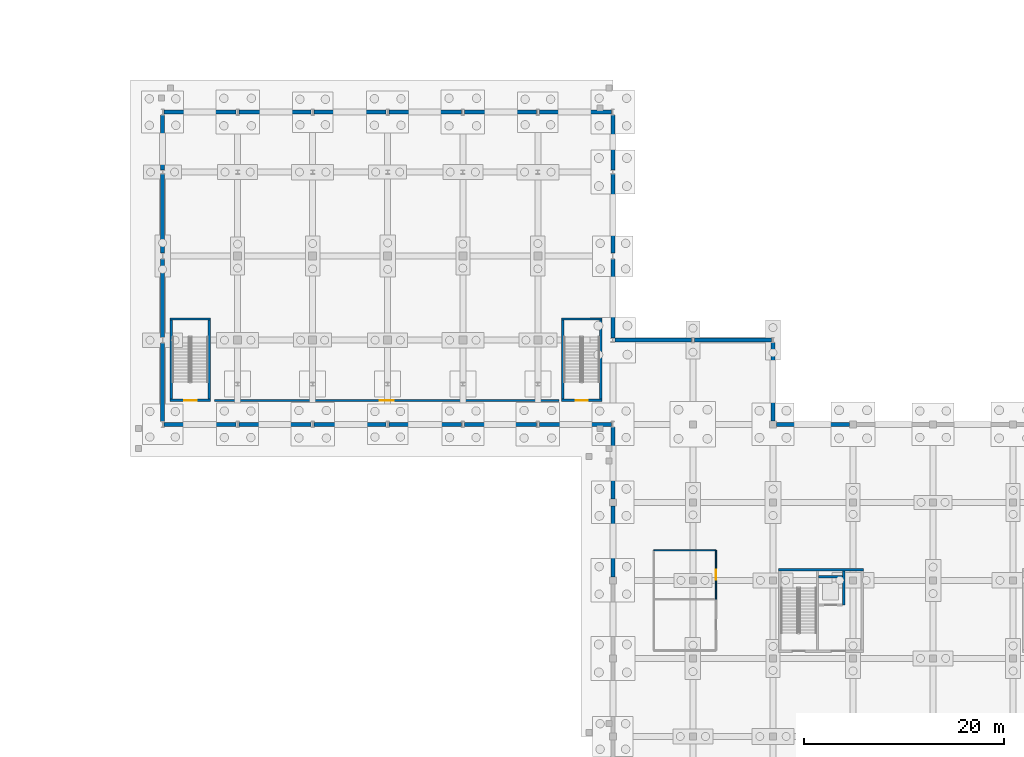
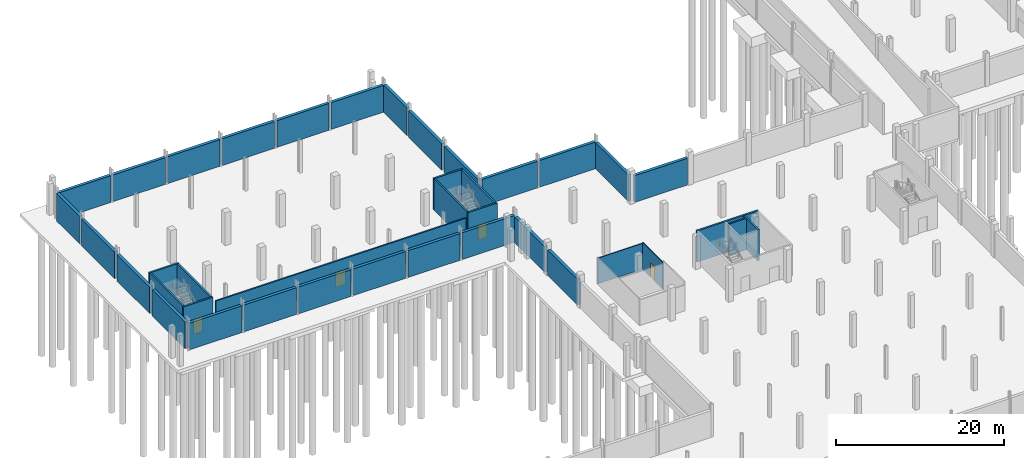
# One storey, part 32 of 44: 39 walls, 4 doors, 4 openings.
"""IFC4 building model written with IfcOpenShell, lengths in metres."""

from ifc_helpers import new_model, si_unit, direction, frame, frame_2d, origin, place, context, subcontext, project, spatial, rectangle, extrude, material, layer, layer_set, type_object, element, fill, save


model = new_model("IFC4")

# Units and contexts
model_context = context("Model", 3, precision=1e-05, world=origin(), true_north=direction((0.0, 1.0)))
body_context = subcontext(model_context, "Body", "Model", "MODEL_VIEW")
ifc_project = project(units=[si_unit("LENGTHUNIT", "METRE"), si_unit("AREAUNIT", "SQUARE_METRE"), si_unit("VOLUMEUNIT", "CUBIC_METRE"), si_unit("PLANEANGLEUNIT", "RADIAN"), si_unit("MASSUNIT", "GRAM", prefix="KILO")], contexts=[model_context])

# Site, building, storey
site_placement = place(None, origin())
site = spatial("IfcSite", under=ifc_project, at=site_placement, CompositionType="ELEMENT")
building_placement = place(site_placement, origin())
building = spatial("IfcBuilding", under=site, at=building_placement, Name="Yukiwa Park Conservatory and Herbarium", CompositionType="ELEMENT")
storey_placement = place(building_placement, frame((0.0, 0.0, -4.800048828125)))
storey = spatial("IfcBuildingStorey", under=building, at=storey_placement, Name="B1", CompositionType="ELEMENT", Elevation=-4.800048828125)

# Walls
ifc_material_1 = material(Name="Concrete C40", Category="concrete")
ifc_layer_1 = layer(ifc_material_1, 0.39990234375)
ifc_layer_set_1 = layer_set([ifc_layer_1], Name="Concrete C40")
wall_type_1 = type_object("IfcWallType", Name="WL-B1-RET400", PredefinedType="SOLIDWALL", material=ifc_layer_set_1)
wall_1_placement = place(storey_placement, frame((83.64990234375, 78.0, 0.0), z_axis=(0.0, 0.0, 1.0), x_axis=(-1.0, 0.0, 0.0)))
element("IfcWall", 1, at=wall_1_placement, inside=storey, type_object=wall_type_1, Name="B1 exterior envelope wall 50", PredefinedType="SOLIDWALL", context=body_context, shape_type="SweptSolid", body=[
    extrude(rectangle(XDim=7.2998046875, YDim=0.39990234375, at=frame_2d((3.64990234375, 0.0))), origin(), (0.0, 0.0, 1.0), 3.89013671875),
])
wall_2_placement = place(storey_placement, frame((76.0, 78.35009765625, 0.0), z_axis=(0.0, 0.0, 1.0), x_axis=(0.0, 1.0, 0.0)))
element("IfcWall", 2, at=wall_2_placement, inside=storey, type_object=wall_type_1, Name="B1 exterior envelope wall 51", PredefinedType="SOLIDWALL", context=body_context, shape_type="SweptSolid", body=[
    extrude(rectangle(XDim=7.805908203125, YDim=0.39990234375, at=frame_2d((3.90283203125, 0.0))), origin(), (0.0, 0.0, 1.0), 3.840087890625),
])
wall_3_placement = place(storey_placement, frame((75.85009765625, 86.39990234375, 0.0), z_axis=(0.0, 0.0, 1.0), x_axis=(-1.0, 0.0, 0.0)))
element("IfcWall", 3, at=wall_3_placement, inside=storey, type_object=wall_type_1, Name="B1 exterior envelope wall 52", PredefinedType="SOLIDWALL", context=body_context, shape_type="SweptSolid", body=[
    extrude(rectangle(XDim=7.7001953125, YDim=0.39990234375, at=frame_2d((3.85009765625, 0.0))), origin(), (0.0, 0.0, 1.0), 3.89013671875),
])
wall_4_placement = place(storey_placement, frame((67.85009765625, 86.39990234375, 0.0), z_axis=(0.0, 0.0, 1.0), x_axis=(-1.0, 0.0, 0.0)))
element("IfcWall", 4, at=wall_4_placement, inside=storey, type_object=wall_type_1, Name="B1 exterior envelope wall 53", PredefinedType="SOLIDWALL", context=body_context, shape_type="SweptSolid", body=[
    extrude(rectangle(XDim=7.650146484375, YDim=0.39990234375, at=frame_2d((3.8251953125, 0.0))), origin(), (0.0, 0.0, 1.0), 3.89013671875),
])
for number, where, z_axis, x_axis, name in (
    (5, (60.0, 86.60009765625, 0.0), (0.0, 0.0, 1.0), (0.0, 1.0, 0.0), "B1 exterior envelope wall 54"),
    (6, (60.0, 95.093994140625, 0.0), (0.0, 0.0, 1.0), (0.0, 1.0, 0.0), "B1 exterior envelope wall 55"),
):
    element("IfcWall", number, at=place(storey_placement, frame(where, z_axis=z_axis, x_axis=x_axis)), inside=storey, type_object=wall_type_1, Name=name, PredefinedType="SOLIDWALL", context=body_context, shape_type="SweptSolid", body=[
        extrude(rectangle(XDim=7.906005859375, YDim=0.39990234375, at=frame_2d((3.953125, 0.0))), origin(), (0.0, 0.0, 1.0), 3.840087890625),
    ])
wall_5_placement = place(storey_placement, frame((60.0, 103.39990234375, 0.0), z_axis=(0.0, 0.0, 1.0), x_axis=(0.0, 1.0, 0.0)))
element("IfcWall", 7, at=wall_5_placement, inside=storey, type_object=wall_type_1, Name="B1 exterior envelope wall 56", PredefinedType="SOLIDWALL", context=body_context, shape_type="SweptSolid", body=[
    extrude(rectangle(XDim=5.506103515625, YDim=0.39990234375, at=frame_2d((2.7529296875, 0.0))), origin(), (0.0, 0.0, 1.0), 4.0400390625),
])
for number, where, z_axis, x_axis, name in (
    (8, (59.85009765625, 109.199951171875, 0.0), (0.0, 0.0, 1.0), (-1.0, 0.0, 0.0), "B1 exterior envelope wall 57"),
    (9, (52.35009765625, 109.199951171875, 0.0), (0.0, 0.0, 1.0), (-1.0, 0.0, 0.0), "B1 exterior envelope wall 58"),
    (10, (44.85009765625, 109.199951171875, 0.0), (0.0, 0.0, 1.0), (-1.0, 0.0, 0.0), "B1 exterior envelope wall 59"),
    (11, (37.35009765625, 109.199951171875, 0.0), (0.0, 0.0, 1.0), (-1.0, 0.0, 0.0), "B1 exterior envelope wall 60"),
    (12, (29.85009765625, 109.199951171875, 0.0), (0.0, 0.0, 1.0), (-1.0, 0.0, 0.0), "B1 exterior envelope wall 61"),
    (13, (22.35009765625, 109.199951171875, 0.0), (0.0, 0.0, 1.0), (-1.0, 0.0, 0.0), "B1 exterior envelope wall 62"),
):
    element("IfcWall", number, at=place(storey_placement, frame(where, z_axis=z_axis, x_axis=x_axis)), inside=storey, type_object=wall_type_1, Name=name, PredefinedType="SOLIDWALL", context=body_context, shape_type="SweptSolid", body=[
        extrude(rectangle(XDim=7.2001953125, YDim=0.39990234375, at=frame_2d((3.60009765625, 0.0))), origin(), (0.0, 0.0, 1.0), 3.89013671875),
    ])
wall_6_placement = place(storey_placement, frame((15.0, 108.906005859375, 0.0), z_axis=(0.0, 0.0, 1.0), x_axis=(0.0, -1.0, 0.0)))
element("IfcWall", 14, at=wall_6_placement, inside=storey, type_object=wall_type_1, Name="B1 exterior envelope wall 63", PredefinedType="SOLIDWALL", context=body_context, shape_type="SweptSolid", body=[
    extrude(rectangle(XDim=5.506103515625, YDim=0.39990234375, at=frame_2d((2.7529296875, 0.0))), origin(), (0.0, 0.0, 1.0), 4.0400390625),
])
wall_7_placement = place(storey_placement, frame((15.0, 103.0, 0.0), z_axis=(0.0, 0.0, 1.0), x_axis=(0.0, -1.0, 0.0)))
element("IfcWall", 15, at=wall_7_placement, inside=storey, type_object=wall_type_1, Name="B1 exterior envelope wall 64", PredefinedType="SOLIDWALL", context=body_context, shape_type="SweptSolid", body=[
    extrude(rectangle(XDim=7.906005859375, YDim=0.39990234375, at=frame_2d((3.953125, 0.0))), origin(), (0.0, 0.0, 1.0), 3.840087890625),
])
wall_8_placement = place(storey_placement, frame((15.0, 94.506103515625, 0.0), z_axis=(0.0, 0.0, 1.0), x_axis=(0.0, -1.0, 0.0)))
element("IfcWall", 16, at=wall_8_placement, inside=storey, type_object=wall_type_1, Name="B1 exterior envelope wall 65", PredefinedType="SOLIDWALL", context=body_context, shape_type="SweptSolid", body=[
    extrude(rectangle(XDim=7.81201171875, YDim=0.39990234375, at=frame_2d((3.906005859375, 0.0))), origin(), (0.0, 0.0, 1.0), 3.840087890625),
])
wall_9_placement = place(storey_placement, frame((15.0, 86.10595703125, 0.0), z_axis=(0.0, 0.0, 1.0), x_axis=(0.0, -1.0, 0.0)))
element("IfcWall", 17, at=wall_9_placement, inside=storey, type_object=wall_type_1, Name="B1 exterior envelope wall 66", PredefinedType="SOLIDWALL", context=body_context, shape_type="SweptSolid", body=[
    extrude(rectangle(XDim=7.81494140625, YDim=0.39990234375, at=frame_2d((3.907470703125, 0.0))), origin(), (0.0, 0.0, 1.0), 3.840087890625),
])
for number, where, z_axis, x_axis, name in (
    (18, (15.14990234375, 78.0, 0.0), (0.0, 0.0, 1.0), (1.0, 0.0, 0.0), "B1 exterior envelope wall 67"),
    (19, (22.64990234375, 78.0, 0.0), (0.0, 0.0, 1.0), (1.0, 0.0, 0.0), "B1 exterior envelope wall 68"),
    (20, (30.14990234375, 78.0, 0.0), (0.0, 0.0, 1.0), (1.0, 0.0, 0.0), "B1 exterior envelope wall 69"),
    (21, (37.64990234375, 78.0, 0.0), (0.0, 0.0, 1.0), (1.0, 0.0, 0.0), "B1 exterior envelope wall 70"),
    (22, (45.14990234375, 78.0, 0.0), (0.0, 0.0, 1.0), (1.0, 0.0, 0.0), "B1 exterior envelope wall 71"),
    (23, (52.64990234375, 78.0, 0.0), (0.0, 0.0, 1.0), (1.0, 0.0, 0.0), "B1 exterior envelope wall 72"),
):
    element("IfcWall", number, at=place(storey_placement, frame(where, z_axis=z_axis, x_axis=x_axis)), inside=storey, type_object=wall_type_1, Name=name, PredefinedType="SOLIDWALL", context=body_context, shape_type="SweptSolid", body=[
        extrude(rectangle(XDim=7.2001953125, YDim=0.39990234375, at=frame_2d((3.60009765625, 0.0))), origin(), (0.0, 0.0, 1.0), 3.89013671875),
    ])
wall_10_placement = place(storey_placement, frame((60.0, 77.708984375, 0.0), z_axis=(0.0, 0.0, 1.0), x_axis=(0.0, -1.0, 0.0)))
element("IfcWall", 24, at=wall_10_placement, inside=storey, type_object=wall_type_1, Name="B1 exterior envelope wall 73", PredefinedType="SOLIDWALL", context=body_context, shape_type="SweptSolid", body=[
    extrude(rectangle(XDim=7.158935546875, YDim=0.39990234375, at=frame_2d((3.57958984375, 0.0))), origin(), (0.0, 0.0, 1.0), 3.739990234375),
])
wall_11_placement = place(storey_placement, frame((60.0, 69.85009765625, 0.0), z_axis=(0.0, 0.0, 1.0), x_axis=(0.0, -1.0, 0.0)))
element("IfcWall", 25, at=wall_11_placement, inside=storey, type_object=wall_type_1, Name="B1 exterior envelope wall 74", PredefinedType="SOLIDWALL", context=body_context, shape_type="SweptSolid", body=[
    extrude(rectangle(XDim=7.10009765625, YDim=0.39990234375, at=frame_2d((3.550048828125, 0.0))), origin(), (0.0, 0.0, 1.0), 3.739990234375),
])
ifc_material_2 = material(Name="Concrete C40", Category="concrete")
ifc_layer_2 = layer(ifc_material_2, 0.219970703125)
ifc_layer_set_2 = layer_set([ifc_layer_2], Name="Concrete C40")
wall_type_2 = type_object("IfcWallType", Name="WL-CORE-RC220", PredefinedType="SHEAR", material=ifc_layer_set_2)
wall_12_placement = place(storey_placement, frame((83.080078125, 59.93994140625, 0.0), z_axis=(0.0, 0.0, 1.0), x_axis=(0.0, 1.0, 0.0)))
element("IfcWall", 26, at=wall_12_placement, inside=storey, type_object=wall_type_2, Name="B1 core shear wall 30", PredefinedType="SHEAR", context=body_context, shape_type="SweptSolid", body=[
    extrude(rectangle(XDim=3.41015625, YDim=0.219970703125, at=frame_2d((1.705078125, 0.0))), origin(), (0.0, 0.0, 1.0), 4.5400390625),
])
wall_13_placement = place(storey_placement, frame((80.570068359375, 62.760009765625, 0.0), z_axis=(0.0, 0.0, 1.0), x_axis=(1.0, 0.0, 0.0)))
element("IfcWall", 27, at=wall_13_placement, inside=storey, type_object=wall_type_2, Name="B1 core shear wall 31", PredefinedType="SHEAR", context=body_context, shape_type="SweptSolid", body=[
    extrude(rectangle(XDim=2.39990234375, YDim=0.219970703125, at=frame_2d((1.199951171875, 0.0))), origin(), (0.0, 0.0, 1.0), 4.5400390625),
])
ifc_material_3 = material(Name="Concrete C50", Category="concrete")
ifc_layer_3 = layer(ifc_material_3, 0.239990234375)
ifc_layer_set_3 = layer_set([ifc_layer_3], Name="Concrete C50")
wall_type_3 = type_object("IfcWallType", Name="WL-CORE-RC240", PredefinedType="SHEAR", material=ifc_layer_set_3)
wall_14_placement = place(storey_placement, frame((76.56005859375, 63.469970703125, 0.0), z_axis=(0.0, 0.0, 1.0), x_axis=(1.0, 0.0, 0.0)))
element("IfcWall", 28, at=wall_14_placement, inside=storey, type_object=wall_type_3, Name="B1 core shear wall 25", PredefinedType="SHEAR", context=body_context, shape_type="SweptSolid", body=[
    extrude(rectangle(XDim=8.47998046875, YDim=0.239990234375, at=frame_2d((4.239990234375, 0.0))), origin(), (0.0, 0.0, 1.0), 4.5400390625),
])

# Wall, opening, door
wall_15_placement = place(storey_placement, frame((15.760009765625, 80.3798828125, 0.0), z_axis=(0.0, 0.0, 1.0), x_axis=(1.0, 0.0, 0.0)))
wall_15 = element("IfcWall", 29, at=wall_15_placement, inside=storey, type_object=wall_type_3, Name="B1 core shear wall 48", PredefinedType="SHEAR", context=body_context, shape_type="SweptSolid", body=[
    extrude(rectangle(XDim=4.030029296875, YDim=0.239990234375, at=frame_2d((2.01513671875, 0.0))), origin(), (0.0, 0.0, 1.0), 4.5400390625),
])
opening_1_placement = place(wall_15_placement, frame((1.4150390625, 0.0, 0.0)))
opening_1 = element("IfcOpeningElement", 30, at=opening_1_placement, cuts=wall_15, Name="Opening SD-01", PredefinedType="OPENING", context=body_context, shape_type="SweptSolid", body=[
    extrude(rectangle(XDim=1.219970703125, YDim=2.179931640625, at=frame_2d((0.60986328125, 1.08984375))), frame((0.0, 0.1298828125, 0.0), z_axis=(0.0, -1.0, 0.0), x_axis=(1.0, 0.0, 0.0)), (0.0, 0.0, 1.0), 0.260009765625),
])
ifc_material_4 = material(Name="Steel Q235B", Category="steel")
door_type_1 = type_object("IfcDoorType", Name="DR-STAIR-FD90-1200", OperationType="SINGLE_SWING_LEFT", PredefinedType="DOOR", material=ifc_material_4)
door_1_placement = place(opening_1_placement, origin())
door_1 = element("IfcDoor", 31, at=door_1_placement, inside=storey, type_object=door_type_1, Name="B1 Stairwell ST-A1 fire door", OperationType="SINGLE_SWING_LEFT", OverallHeight=2.179931640625, OverallWidth=1.219970703125, PredefinedType="DOOR", context=body_context, shape_type="SweptSolid", body=[
    extrude(rectangle(XDim=1.219970703125, YDim=2.179931640625, at=frame_2d((0.60986328125, 1.08984375))), frame((0.0, 0.02490234375, 0.0), z_axis=(0.0, -1.0, 0.0), x_axis=(1.0, 0.0, 0.0)), (0.0, 0.0, 1.0), 0.050048828125),
])
fill(opening_1, door_1)

# Walls
wall_16_placement = place(storey_placement, frame((15.760009765625, 88.52001953125, 0.0), z_axis=(0.0, 0.0, 1.0), x_axis=(1.0, 0.0, 0.0)))
element("IfcWall", 32, at=wall_16_placement, inside=storey, type_object=wall_type_3, Name="B1 core shear wall 49", PredefinedType="SHEAR", context=body_context, shape_type="SweptSolid", body=[
    extrude(rectangle(XDim=4.030029296875, YDim=0.239990234375, at=frame_2d((2.01513671875, 0.0))), origin(), (0.0, 0.0, 1.0), 4.5400390625),
])
for number, where, z_axis, x_axis, name in (
    (33, (15.8798828125, 80.5, 0.0), (0.0, 0.0, 1.0), (0.0, 1.0, 0.0), "B1 core shear wall 50"),
    (34, (19.669921875, 80.5, 0.0), (0.0, 0.0, 1.0), (0.0, 1.0, 0.0), "B1 core shear wall 51"),
):
    element("IfcWall", number, at=place(storey_placement, frame(where, z_axis=z_axis, x_axis=x_axis)), inside=storey, type_object=wall_type_3, Name=name, PredefinedType="SHEAR", context=body_context, shape_type="SweptSolid", body=[
        extrude(rectangle(XDim=7.89990234375, YDim=0.239990234375, at=frame_2d((3.949951171875, 0.0))), origin(), (0.0, 0.0, 1.0), 4.5400390625),
    ])

# Wall, opening, door
wall_17_placement = place(storey_placement, frame((54.860107421875, 80.3798828125, 0.0), z_axis=(0.0, 0.0, 1.0), x_axis=(1.0, 0.0, 0.0)))
wall_17 = element("IfcWall", 35, at=wall_17_placement, inside=storey, type_object=wall_type_3, Name="B1 core shear wall 52", PredefinedType="SHEAR", context=body_context, shape_type="SweptSolid", body=[
    extrude(rectangle(XDim=4.02978515625, YDim=0.239990234375, at=frame_2d((2.014892578125, 0.0))), origin(), (0.0, 0.0, 1.0), 4.5400390625),
])
opening_2_placement = place(wall_17_placement, frame((1.4150390625, 0.0, 0.0)))
opening_2 = element("IfcOpeningElement", 36, at=opening_2_placement, cuts=wall_17, Name="Opening SD-01", PredefinedType="OPENING", context=body_context, shape_type="SweptSolid", body=[
    extrude(rectangle(XDim=1.219970703125, YDim=2.179931640625, at=frame_2d((0.60986328125, 1.08984375))), frame((0.0, 0.1298828125, 0.0), z_axis=(0.0, -1.0, 0.0), x_axis=(1.0, 0.0, 0.0)), (0.0, 0.0, 1.0), 0.260009765625),
])
door_2_placement = place(opening_2_placement, origin())
door_2 = element("IfcDoor", 37, at=door_2_placement, inside=storey, type_object=door_type_1, Name="B1 Stairwell ST-A2 fire door", OperationType="SINGLE_SWING_LEFT", OverallHeight=2.179931640625, OverallWidth=1.219970703125, PredefinedType="DOOR", context=body_context, shape_type="SweptSolid", body=[
    extrude(rectangle(XDim=1.219970703125, YDim=2.179931640625, at=frame_2d((0.60986328125, 1.08984375))), frame((0.0, 0.02490234375, 0.0), z_axis=(0.0, -1.0, 0.0), x_axis=(1.0, 0.0, 0.0)), (0.0, 0.0, 1.0), 0.050048828125),
])
fill(opening_2, door_2)

# Walls
wall_18_placement = place(storey_placement, frame((54.860107421875, 88.52001953125, 0.0), z_axis=(0.0, 0.0, 1.0), x_axis=(1.0, 0.0, 0.0)))
element("IfcWall", 38, at=wall_18_placement, inside=storey, type_object=wall_type_3, Name="B1 core shear wall 53", PredefinedType="SHEAR", context=body_context, shape_type="SweptSolid", body=[
    extrude(rectangle(XDim=4.02978515625, YDim=0.239990234375, at=frame_2d((2.014892578125, 0.0))), origin(), (0.0, 0.0, 1.0), 4.5400390625),
])
for number, where, z_axis, x_axis, name in (
    (39, (54.97998046875, 80.5, 0.0), (0.0, 0.0, 1.0), (0.0, 1.0, 0.0), "B1 core shear wall 54"),
    (40, (58.77001953125, 80.5, 0.0), (0.0, 0.0, 1.0), (0.0, 1.0, 0.0), "B1 core shear wall 55"),
):
    element("IfcWall", number, at=place(storey_placement, frame(where, z_axis=z_axis, x_axis=x_axis)), inside=storey, type_object=wall_type_3, Name=name, PredefinedType="SHEAR", context=body_context, shape_type="SweptSolid", body=[
        extrude(rectangle(XDim=7.89990234375, YDim=0.239990234375, at=frame_2d((3.949951171875, 0.0))), origin(), (0.0, 0.0, 1.0), 4.5400390625),
    ])

# Wall, opening, door
ifc_material_5 = material(Name="Gypsum Board Partition", Category="gypsum")
ifc_layer_4 = layer(ifc_material_5, 0.199951171875)
ifc_layer_set_4 = layer_set([ifc_layer_4], Name="Gypsum Board Partition")
wall_type_4 = type_object("IfcWallType", Name="WL-PART-FIRE-200", PredefinedType="SOLIDWALL", material=ifc_layer_set_4)
wall_19_placement = place(storey_placement, frame((20.199951171875, 80.35009765625, 0.0), z_axis=(0.0, 0.0, 1.0), x_axis=(1.0, 0.0, 0.0)))
wall_19 = element("IfcWall", 41, at=wall_19_placement, inside=storey, type_object=wall_type_4, Name="B1 interior partition wall 60", PredefinedType="SOLIDWALL", context=body_context, shape_type="SweptSolid", body=[
    extrude(rectangle(XDim=34.400146484375, YDim=0.199951171875, at=frame_2d((17.2001953125, 0.0))), origin(), (0.0, 0.0, 1.0), 3.840087890625),
])
opening_3_placement = place(wall_19_placement, frame((16.5, 0.0, 0.0)))
opening_3 = element("IfcOpeningElement", 42, at=opening_3_placement, cuts=wall_19, Name="Opening FD-06", PredefinedType="OPENING", context=body_context, shape_type="SweptSolid", body=[
    extrude(rectangle(XDim=1.3798828125, YDim=2.14990234375, at=frame_2d((0.68994140625, 1.074951171875))), frame((0.0, 0.10986328125, 0.0), z_axis=(0.0, -1.0, 0.0), x_axis=(1.0, 0.0, 0.0)), (0.0, 0.0, 1.0), 0.219970703125),
])
ifc_material_6 = material(Name="Steel Q235B", Category="steel")
door_type_2 = type_object("IfcDoorType", Name="DR-FIRE-FD60-1400", OperationType="DOUBLE_DOOR_SINGLE_SWING", PredefinedType="DOOR", material=ifc_material_6)
door_3_placement = place(opening_3_placement, origin())
door_3 = element("IfcDoor", 43, at=door_3_placement, inside=storey, type_object=door_type_2, Name="B1 Understage plenum double fire door", OperationType="DOUBLE_DOOR_SINGLE_SWING", OverallHeight=2.14990234375, OverallWidth=1.3798828125, PredefinedType="DOOR", context=body_context, shape_type="SweptSolid", body=[
    extrude(rectangle(XDim=1.3798828125, YDim=2.14990234375, at=frame_2d((0.68994140625, 1.074951171875))), frame((0.0, 0.02490234375, 0.0), z_axis=(0.0, -1.0, 0.0), x_axis=(1.0, 0.0, 0.0)), (0.0, 0.0, 1.0), 0.050048828125),
])
fill(opening_3, door_3)

ifc_material_7 = material(Name="Gypsum Board Partition", Category="gypsum")
ifc_layer_5 = layer(ifc_material_7, 0.1201171875)
ifc_layer_set_5 = layer_set([ifc_layer_5], Name="Gypsum Board Partition")
wall_type_5 = type_object("IfcWallType", Name="WL-PART-WET-150", PredefinedType="PARTITIONING", material=ifc_layer_set_5)
wall_20_placement = place(storey_placement, frame((70.300048828125, 60.5, 0.0), z_axis=(0.0, 0.0, 1.0), x_axis=(0.0, 1.0, 0.0)))
wall_20 = element("IfcWall", 44, at=wall_20_placement, inside=storey, type_object=wall_type_5, Name="B1 interior partition wall 65", PredefinedType="PARTITIONING", context=body_context, shape_type="SweptSolid", body=[
    extrude(rectangle(XDim=4.89990234375, YDim=0.1201171875, at=frame_2d((2.449951171875, 0.0))), origin(), (0.0, 0.0, 1.0), 3.89013671875),
])
opening_4_placement = place(wall_20_placement, frame((1.949951171875, 0.0, 0.0)))
opening_4 = element("IfcOpeningElement", 45, at=opening_4_placement, cuts=wall_20, Name="Opening ID-10", PredefinedType="OPENING", context=body_context, shape_type="SweptSolid", body=[
    extrude(rectangle(XDim=1.0, YDim=2.10009765625, at=frame_2d((0.5, 1.050048828125))), frame((0.0, 0.070068359375, 0.0), z_axis=(0.0, -1.0, 0.0), x_axis=(1.0, 0.0, 0.0)), (0.0, 0.0, 1.0), 0.14013671875),
])
ifc_material_8 = material(Name="Charred Larch Cladding", Category="wood")
door_type_3 = type_object("IfcDoorType", Name="DR-ACC-1000", OperationType="SINGLE_SWING_LEFT", PredefinedType="DOOR", material=ifc_material_8)
door_4_placement = place(opening_4_placement, origin())
door_4 = element("IfcDoor", 46, at=door_4_placement, inside=storey, type_object=door_type_3, Name="B1 Accessible WC door", OperationType="SINGLE_SWING_LEFT", OverallHeight=2.10009765625, OverallWidth=1.0, PredefinedType="DOOR", context=body_context, shape_type="SweptSolid", body=[
    extrude(rectangle(XDim=1.0, YDim=2.10009765625, at=frame_2d((0.5, 1.050048828125))), frame((0.0, 0.02490234375, 0.0), z_axis=(0.0, -1.0, 0.0), x_axis=(1.0, 0.0, 0.0)), (0.0, 0.0, 1.0), 0.050048828125),
])
fill(opening_4, door_4)

# Wall
wall_21_placement = place(storey_placement, frame((64.10009765625, 65.39990234375, 0.0), z_axis=(0.0, 0.0, 1.0), x_axis=(1.0, 0.0, 0.0)))
element("IfcWall", 47, at=wall_21_placement, inside=storey, type_object=wall_type_5, Name="B1 interior partition wall 69", PredefinedType="PARTITIONING", context=body_context, shape_type="SweptSolid", body=[
    extrude(rectangle(XDim=6.199951171875, YDim=0.1201171875, at=frame_2d((3.10009765625, 0.0))), origin(), (0.0, 0.0, 1.0), 3.739990234375),
])

save(model, "model.ifc")
